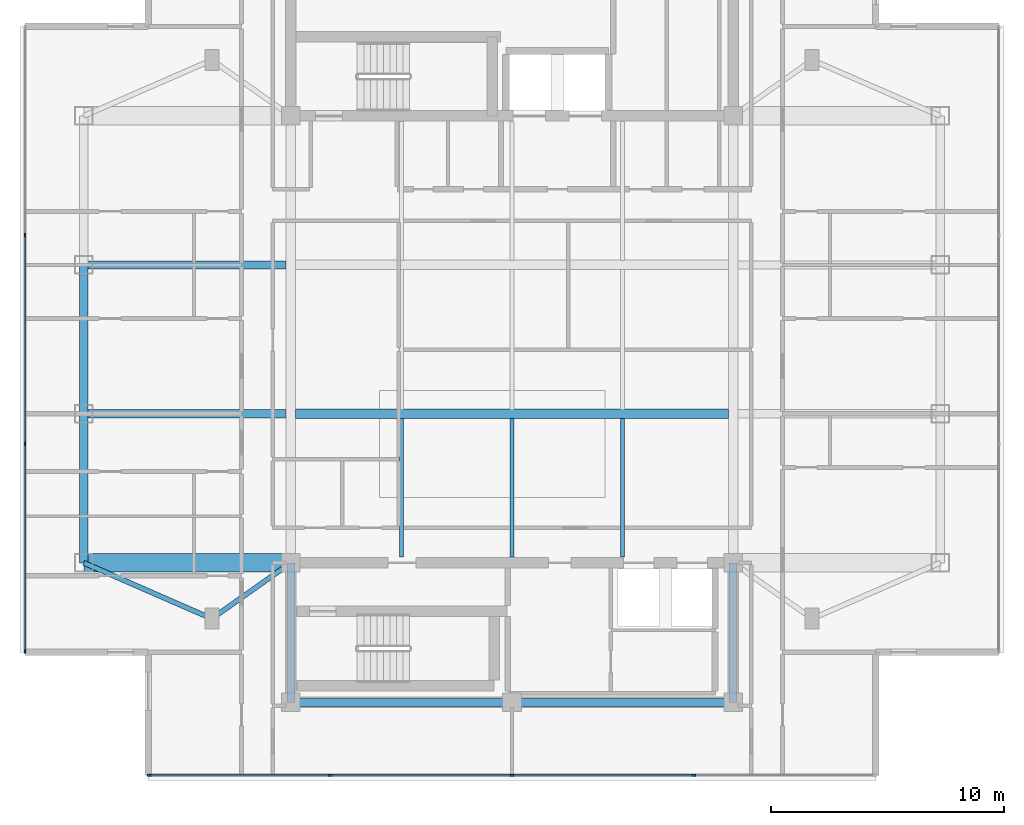
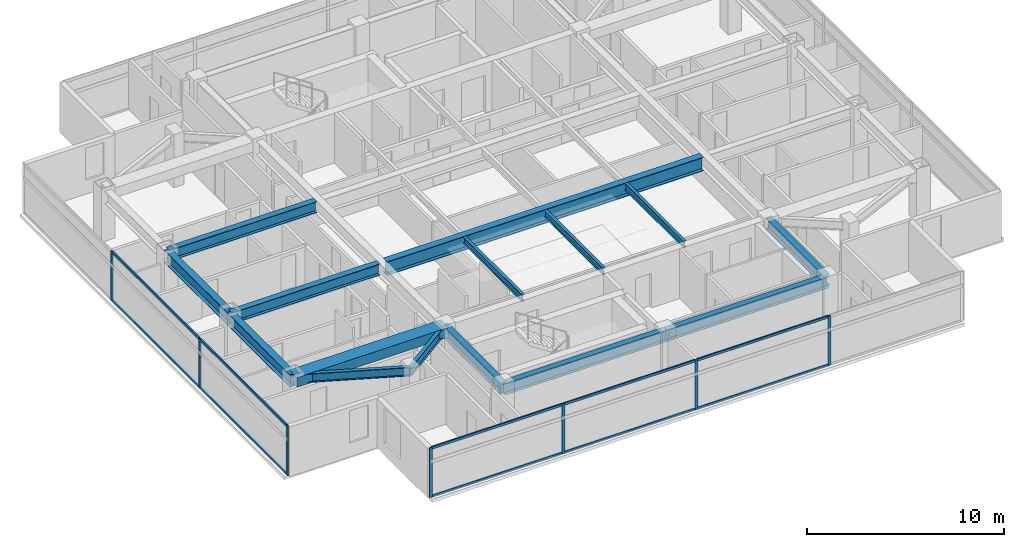
# One storey, part 2 of 15: 17 members, 15 beams, 2 elements without a shape of their own.
"""IFC4 building model written with IfcOpenShell, lengths in metres."""

from ifc_helpers import new_model, si_unit, direction, frame, origin, origin_2d, place, context, subcontext, project, spatial, rectangle, i_section, extrude, material, material_profile, profile_set, type_object, element, aggregate, save


model = new_model("IFC4")

# Units and contexts
model_context = context("Model", 3, precision=1e-05, world=origin(), true_north=direction((0.0, 1.0)))
body_context = subcontext(model_context, "Body", "Model", "MODEL_VIEW")
ifc_project = project(units=[si_unit("LENGTHUNIT", "METRE"), si_unit("AREAUNIT", "SQUARE_METRE"), si_unit("VOLUMEUNIT", "CUBIC_METRE"), si_unit("PLANEANGLEUNIT", "RADIAN"), si_unit("MASSUNIT", "GRAM", prefix="KILO")], contexts=[model_context])

# Site, building, storey
site_placement = place(None, origin())
site = spatial("IfcSite", under=ifc_project, at=site_placement, CompositionType="ELEMENT")
building_placement = place(site_placement, origin())
building = spatial("IfcBuilding", under=site, at=building_placement, Name="Mirazonda Arch Towers", CompositionType="ELEMENT")
storey_placement = place(building_placement, frame((0.0, 0.0, 229.300048828125)))
storey = spatial("IfcBuildingStorey", under=building, at=storey_placement, Name="L65", CompositionType="ELEMENT", Elevation=229.300048828125)

# Beams
ifc_material_1 = material(Name="Steel ASTM A992 Grade 50", Category="steel")
ifc_material_profile_1 = material_profile(ifc_material_1, i_section(OverallWidth=0.381103515625, OverallDepth=0.77294921875, WebThickness=0.0166015625, FlangeThickness=0.027099609375, at=origin_2d()), Name="W30X173")
ifc_profile_set_1 = profile_set([ifc_material_profile_1], Name="Steel ASTM A992 Grade 50")
beam_type_1 = type_object("IfcBeamType", Name="BM-EXT-W30X173", PredefinedType="USERDEFINED", material=ifc_profile_set_1)
beam_1_placement = place(storey_placement, frame((2.10009765625, 18.39990234375, 2.71337890625), z_axis=(0.0, 1.0, 0.0), x_axis=(-1.0, 0.0, 0.0)))
element("IfcBeam", 1, at=beam_1_placement, inside=storey, type_object=beam_type_1, Name="L65 Floor Beam BM-T1-L65-NS-W-18", ObjectType="GIRDER", PredefinedType="USERDEFINED", context=body_context, shape_type="SweptSolid", body=[
    extrude(i_section(OverallWidth=0.381103515625, OverallDepth=0.77294921875, WebThickness=0.0166015625, FlangeThickness=0.027099609375, at=origin_2d()), origin(), (0.0, 0.0, 1.0), 6.400146484375),
])
beam_2_placement = place(storey_placement, frame((2.10009765625, 24.800048828125, 2.71337890625), z_axis=(0.0, 1.0, 0.0), x_axis=(-1.0, 0.0, 0.0)))
element("IfcBeam", 2, at=beam_2_placement, inside=storey, type_object=beam_type_1, Name="L65 Floor Beam BM-T1-L65-NS-W-24", ObjectType="GIRDER", PredefinedType="USERDEFINED", context=body_context, shape_type="SweptSolid", body=[
    extrude(i_section(OverallWidth=0.381103515625, OverallDepth=0.77294921875, WebThickness=0.0166015625, FlangeThickness=0.027099609375, at=origin_2d()), origin(), (0.0, 0.0, 1.0), 6.39990234375),
])
ifc_material_profile_2 = material_profile(ifc_material_1, i_section(OverallWidth=0.180908203125, OverallDepth=0.4169921875, WebThickness=0.010986328125, FlangeThickness=0.018310546875, at=origin_2d()), Name="W16X57")
ifc_profile_set_2 = profile_set([ifc_material_profile_2], Name="Steel ASTM A992 Grade 50")
beam_type_2 = type_object("IfcBeamType", Name="BM-INT-W16X57", PredefinedType="JOIST", material=ifc_profile_set_2)
for number, where, z_axis, x_axis, name in (
    (3, (15.75, 18.639892578125, 2.891357421875), (0.0, 1.0, 0.0), (-1.0, 0.0, 0.0), "L65 Floor Beam BM-T1-L65-J-157-18"),
    (4, (20.5, 18.639892578125, 2.891357421875), (0.0, 1.0, 0.0), (-1.0, 0.0, 0.0), "L65 Floor Beam BM-T1-L65-J-205-18"),
    (5, (25.25, 18.639892578125, 2.891357421875), (0.0, 1.0, 0.0), (-1.0, 0.0, 0.0), "L65 Floor Beam BM-T1-L65-J-252-18"),
):
    element("IfcBeam", number, at=place(storey_placement, frame(where, z_axis=z_axis, x_axis=x_axis)), inside=storey, type_object=beam_type_2, Name=name, PredefinedType="JOIST", context=body_context, shape_type="SweptSolid", body=[
        extrude(i_section(OverallWidth=0.180908203125, OverallDepth=0.4169921875, WebThickness=0.010986328125, FlangeThickness=0.018310546875, at=origin_2d()), origin(), (0.0, 0.0, 1.0), 5.964111328125),
    ])
ifc_material_profile_3 = material_profile(ifc_material_1, i_section(OverallWidth=0.214111328125, OverallDepth=0.549072265625, WebThickness=0.0146484375, FlangeThickness=0.023681640625, at=origin_2d()), Name="W21X93")
ifc_profile_set_3 = profile_set([ifc_material_profile_3], Name="Steel ASTM A992 Grade 50")
beam_type_3 = type_object("IfcBeamType", Name="BM-INT-W21X93", PredefinedType="BEAM", material=ifc_profile_set_3)
beam_3_placement = place(storey_placement, frame((7.60009765625, 16.0, 2.825439453125), z_axis=(0.816971114901, 0.576678591087, 0.0), x_axis=(-0.576678591087, 0.816971114901, 0.0)))
element("IfcBeam", 6, at=beam_3_placement, inside=storey, type_object=beam_type_3, Name="L65 Floor Beam BM-T1-L65-PL-SW1", PredefinedType="BEAM", context=body_context, shape_type="SweptSolid", body=[
    extrude(i_section(OverallWidth=0.214111328125, OverallDepth=0.549072265625, WebThickness=0.0146484375, FlangeThickness=0.023681640625, at=origin_2d()), origin(), (0.0, 0.0, 1.0), 4.16162109375),
])
beam_4_placement = place(storey_placement, frame((7.60009765625, 16.0, 2.825439453125), z_axis=(-0.916545343703, 0.399930785183, 0.0), x_axis=(-0.399930785183, -0.916545343703, 0.0)))
element("IfcBeam", 7, at=beam_4_placement, inside=storey, type_object=beam_type_3, Name="L65 Floor Beam BM-T1-L65-PL-SW2", PredefinedType="BEAM", context=body_context, shape_type="SweptSolid", body=[
    extrude(i_section(OverallWidth=0.214111328125, OverallDepth=0.549072265625, WebThickness=0.0146484375, FlangeThickness=0.023681640625, at=origin_2d()), origin(), (0.0, 0.0, 1.0), 6.000732421875),
])
ifc_material_profile_4 = material_profile(ifc_material_1, i_section(OverallWidth=0.35498046875, OverallDepth=0.696044921875, WebThickness=0.015380859375, FlangeThickness=0.02490234375, at=origin_2d()), Name="W27X146")
ifc_profile_set_4 = profile_set([ifc_material_profile_4], Name="Steel ASTM A992 Grade 50")
beam_type_4 = type_object("IfcBeamType", Name="BM-INT-W27X146", PredefinedType="BEAM", material=ifc_profile_set_4)
for number, where, z_axis, x_axis, name in (
    (8, (2.10009765625, 24.800048828125, 2.751953125), (1.0, 0.0, 0.0), (0.0, 1.0, 0.0), "L65 Floor Beam BM-T1-L65-GW2"),
    (9, (2.10009765625, 31.199951171875, 2.751953125), (1.0, 0.0, 0.0), (0.0, 1.0, 0.0), "L65 Floor Beam BM-T1-L65-GW3"),
):
    element("IfcBeam", number, at=place(storey_placement, frame(where, z_axis=z_axis, x_axis=x_axis)), inside=storey, type_object=beam_type_4, Name=name, PredefinedType="BEAM", context=body_context, shape_type="SweptSolid", body=[
        extrude(i_section(OverallWidth=0.35498046875, OverallDepth=0.696044921875, WebThickness=0.015380859375, FlangeThickness=0.02490234375, at=origin_2d()), origin(), (0.0, 0.0, 1.0), 8.699951171875),
    ])
for number, where, z_axis, x_axis, name in (
    (10, (11.0, 12.39990234375, 2.751953125), (1.0, 0.0, 0.0), (0.0, 1.0, 0.0), "L65 Floor Beam BM-T1-L65-CS1"),
    (11, (20.5, 12.39990234375, 2.751953125), (1.0, 0.0, 0.0), (0.0, 1.0, 0.0), "L65 Floor Beam BM-T1-L65-CS2"),
):
    element("IfcBeam", number, at=place(storey_placement, frame(where, z_axis=z_axis, x_axis=x_axis)), inside=storey, type_object=beam_type_4, Name=name, PredefinedType="BEAM", context=body_context, shape_type="SweptSolid", body=[
        extrude(i_section(OverallWidth=0.35498046875, OverallDepth=0.696044921875, WebThickness=0.015380859375, FlangeThickness=0.02490234375, at=origin_2d()), origin(), (0.0, 0.0, 1.0), 9.5),
    ])
for number, where, z_axis, x_axis, name in (
    (12, (11.0, 12.39990234375, 2.751953125), (0.0, 1.0, 0.0), (-1.0, 0.0, 0.0), "L65 Floor Beam BM-T1-L65-CSW"),
    (13, (30.0, 12.39990234375, 2.751953125), (0.0, 1.0, 0.0), (-1.0, 0.0, 0.0), "L65 Floor Beam BM-T1-L65-CSE"),
):
    element("IfcBeam", number, at=place(storey_placement, frame(where, z_axis=z_axis, x_axis=x_axis)), inside=storey, type_object=beam_type_4, Name=name, PredefinedType="BEAM", context=body_context, shape_type="SweptSolid", body=[
        extrude(i_section(OverallWidth=0.35498046875, OverallDepth=0.696044921875, WebThickness=0.015380859375, FlangeThickness=0.02490234375, at=origin_2d()), origin(), (0.0, 0.0, 1.0), 6.0),
    ])
ifc_material_profile_5 = material_profile(ifc_material_1, i_section(OverallWidth=0.39990234375, OverallDepth=0.85595703125, WebThickness=0.018310546875, FlangeThickness=0.029296875, at=origin_2d()), Name="W33X201")
ifc_profile_set_5 = profile_set([ifc_material_profile_5], Name="Steel ASTM A992 Grade 50")
beam_type_5 = type_object("IfcBeamType", Name="BM-INT-W33X201", PredefinedType="USERDEFINED", material=ifc_profile_set_5)
beam_5_placement = place(storey_placement, frame((11.199951171875, 24.800048828125, 2.671875), z_axis=(1.0, 0.0, 0.0), x_axis=(0.0, 1.0, 0.0)))
element("IfcBeam", 14, at=beam_5_placement, inside=storey, type_object=beam_type_5, Name="L65 Floor Beam BM-T1-L65-GC2", ObjectType="GIRDER", PredefinedType="USERDEFINED", context=body_context, shape_type="SweptSolid", body=[
    extrude(i_section(OverallWidth=0.39990234375, OverallDepth=0.85595703125, WebThickness=0.018310546875, FlangeThickness=0.029296875, at=origin_2d()), origin(), (0.0, 0.0, 1.0), 18.60009765625),
])
ifc_material_2 = material(Name="Concrete C60/75", Category="concrete")
ifc_material_profile_6 = material_profile(ifc_material_2, rectangle(XDim=0.800048828125, YDim=0.60009765625, at=origin_2d()), Name="RCCB800x600")
ifc_profile_set_6 = profile_set([ifc_material_profile_6], Name="Concrete C60/75")
beam_type_6 = type_object("IfcBeamType", Name="CB-INT-RCCB800x600", PredefinedType="SPANDREL", material=ifc_profile_set_6)
beam_6_placement = place(storey_placement, frame((2.10009765625, 18.39990234375, 2.800048828125), z_axis=(1.0, 0.0, 0.0), x_axis=(0.0, 1.0, 0.0)))
element("IfcBeam", 15, at=beam_6_placement, inside=storey, type_object=beam_type_6, Name="L65 Floor Beam CBC-T1-L65-SW", PredefinedType="SPANDREL", context=body_context, shape_type="SweptSolid", body=[
    extrude(rectangle(XDim=0.800048828125, YDim=0.60009765625, at=origin_2d()), origin(), (0.0, 0.0, 1.0), 8.89990234375),
])

# Curtain wall, members
ifc_material_3 = material(Name="Anodised Aluminium and Low-E Glass", Category="aluminium")
curtain_wall_type = type_object("IfcCurtainWallType", Name="CW-RES-UNIT", PredefinedType="NOTDEFINED", material=ifc_material_3)
curtain_wall_1_placement = place(storey_placement, origin())
curtain_wall_1 = element("IfcCurtainWall", 16, at=curtain_wall_1_placement, inside=storey, type_object=curtain_wall_type, Name="L65 T1 S Facade CW-L65-T1-S", PredefinedType="NOTDEFINED")
ifc_material_4 = material(Name="Anodised Aluminium Alloy", Category="aluminium")
ifc_material_profile_7 = material_profile(ifc_material_4, rectangle(XDim=0.074951171875, YDim=0.175048828125, at=origin_2d()), Name="ALU-MULL-75x175")
ifc_profile_set_7 = profile_set([ifc_material_profile_7], Name="Anodised Aluminium Alloy")
member_type_1 = type_object("IfcMemberType", Name="MULL-CW-RES-UNIT", PredefinedType="MULLION", material=ifc_profile_set_7)
member_1_placement = place(storey_placement, frame((28.31494140625, 9.26611328125, 0.0), z_axis=(0.0, 0.0, 1.0), x_axis=(0.0, -1.0, 0.0)))
member_1 = element("IfcMember", 17, at=member_1_placement, type_object=member_type_1, Name="CW-104 mullion 2", PredefinedType="MULLION", context=body_context, shape_type="SweptSolid", body=[
    extrude(rectangle(XDim=0.074951171875, YDim=0.175048828125, at=origin_2d()), origin(), (0.0, 0.0, 1.0), 3.079833984375),
])
member_2_placement = place(storey_placement, frame((20.5, 9.26611328125, 0.0), z_axis=(0.0, 0.0, 1.0), x_axis=(0.0, -1.0, 0.0)))
member_2 = element("IfcMember", 18, at=member_2_placement, type_object=member_type_1, Name="CW-104 mullion 3", PredefinedType="MULLION", context=body_context, shape_type="SweptSolid", body=[
    extrude(rectangle(XDim=0.074951171875, YDim=0.175048828125, at=origin_2d()), origin(), (0.0, 0.0, 1.0), 3.079833984375),
])
member_3_placement = place(storey_placement, frame((12.68505859375, 9.26611328125, 0.0), z_axis=(0.0, 0.0, 1.0), x_axis=(0.0, -1.0, 0.0)))
member_3 = element("IfcMember", 19, at=member_3_placement, type_object=member_type_1, Name="CW-104 mullion 4", PredefinedType="MULLION", context=body_context, shape_type="SweptSolid", body=[
    extrude(rectangle(XDim=0.074951171875, YDim=0.175048828125, at=origin_2d()), origin(), (0.0, 0.0, 1.0), 3.079833984375),
])
member_4_placement = place(storey_placement, frame((4.907470703125, 9.26611328125, 0.0), z_axis=(0.0, 0.0, 1.0), x_axis=(0.0, -1.0, 0.0)))
member_4 = element("IfcMember", 20, at=member_4_placement, type_object=member_type_1, Name="CW-104 mullion 5", PredefinedType="MULLION", context=body_context, shape_type="SweptSolid", body=[
    extrude(rectangle(XDim=0.074951171875, YDim=0.175048828125, at=origin_2d()), origin(), (0.0, 0.0, 1.0), 3.079833984375),
])

curtain_wall_2_placement = place(storey_placement, origin())
curtain_wall_2 = element("IfcCurtainWall", 21, at=curtain_wall_2_placement, inside=storey, type_object=curtain_wall_type, Name="L65 T1 W Facade CW-L65-T1-W", PredefinedType="NOTDEFINED")
member_5_placement = place(storey_placement, frame((-0.419921875, 32.4814453125, 0.0), z_axis=(0.0, 0.0, 1.0), x_axis=(1.0, 0.0, 0.0)))
member_5 = element("IfcMember", 22, at=member_5_placement, type_object=member_type_1, Name="CW-104 mullion 2", PredefinedType="MULLION", context=body_context, shape_type="SweptSolid", body=[
    extrude(rectangle(XDim=0.074951171875, YDim=0.175048828125, at=origin_2d()), origin(), (0.0, 0.0, 1.0), 3.079833984375),
])
member_6_placement = place(storey_placement, frame((-0.419921875, 23.5185546875, 0.0), z_axis=(0.0, 0.0, 1.0), x_axis=(1.0, 0.0, 0.0)))
member_6 = element("IfcMember", 23, at=member_6_placement, type_object=member_type_1, Name="CW-104 mullion 3", PredefinedType="MULLION", context=body_context, shape_type="SweptSolid", body=[
    extrude(rectangle(XDim=0.074951171875, YDim=0.175048828125, at=origin_2d()), origin(), (0.0, 0.0, 1.0), 3.079833984375),
])
member_7_placement = place(storey_placement, frame((-0.419921875, 14.593505859375, 0.0), z_axis=(0.0, 0.0, 1.0), x_axis=(1.0, 0.0, 0.0)))
member_7 = element("IfcMember", 24, at=member_7_placement, type_object=member_type_1, Name="CW-104 mullion 4", PredefinedType="MULLION", context=body_context, shape_type="SweptSolid", body=[
    extrude(rectangle(XDim=0.074951171875, YDim=0.175048828125, at=origin_2d()), origin(), (0.0, 0.0, 1.0), 3.079833984375),
])

# Member
ifc_material_profile_8 = material_profile(ifc_material_4, rectangle(XDim=0.074951171875, YDim=0.155029296875, at=origin_2d()), Name="ALU-TRAN-75x155")
ifc_profile_set_8 = profile_set([ifc_material_profile_8], Name="Anodised Aluminium Alloy")
member_type_2 = type_object("IfcMemberType", Name="TRAN-CW-RES-UNIT", PredefinedType="USERDEFINED", material=ifc_profile_set_8)
member_8_placement = place(storey_placement, frame((28.277587890625, 9.26611328125, 0.037353515625), z_axis=(-1.0, 0.0, 0.0), x_axis=(0.0, -1.0, 0.0)))
member_8 = element("IfcMember", 25, at=member_8_placement, type_object=member_type_2, Name="CW-104 transom 2.1", ObjectType="TRANSOM", PredefinedType="USERDEFINED", context=body_context, shape_type="SweptSolid", body=[
    extrude(rectangle(XDim=0.074951171875, YDim=0.155029296875, at=origin_2d()), origin(), (0.0, 0.0, 1.0), 7.739990234375),
])

member_9_placement = place(storey_placement, frame((28.277587890625, 9.26611328125, 3.04248046875), z_axis=(-1.0, 0.0, 0.0), x_axis=(0.0, -1.0, 0.0)))
member_9 = element("IfcMember", 26, at=member_9_placement, type_object=member_type_2, Name="CW-104 transom 2.2", ObjectType="TRANSOM", PredefinedType="USERDEFINED", context=body_context, shape_type="SweptSolid", body=[
    extrude(rectangle(XDim=0.074951171875, YDim=0.155029296875, at=origin_2d()), origin(), (0.0, 0.0, 1.0), 7.739990234375),
])

member_10_placement = place(storey_placement, frame((20.46240234375, 9.26611328125, 0.037353515625), z_axis=(-1.0, 0.0, 0.0), x_axis=(0.0, -1.0, 0.0)))
member_10 = element("IfcMember", 27, at=member_10_placement, type_object=member_type_2, Name="CW-104 transom 3.1", ObjectType="TRANSOM", PredefinedType="USERDEFINED", context=body_context, shape_type="SweptSolid", body=[
    extrude(rectangle(XDim=0.074951171875, YDim=0.155029296875, at=origin_2d()), origin(), (0.0, 0.0, 1.0), 7.739990234375),
])

member_11_placement = place(storey_placement, frame((20.46240234375, 9.26611328125, 3.04248046875), z_axis=(-1.0, 0.0, 0.0), x_axis=(0.0, -1.0, 0.0)))
member_11 = element("IfcMember", 28, at=member_11_placement, type_object=member_type_2, Name="CW-104 transom 3.2", ObjectType="TRANSOM", PredefinedType="USERDEFINED", context=body_context, shape_type="SweptSolid", body=[
    extrude(rectangle(XDim=0.074951171875, YDim=0.155029296875, at=origin_2d()), origin(), (0.0, 0.0, 1.0), 7.739990234375),
])

member_12_placement = place(storey_placement, frame((12.6474609375, 9.26611328125, 0.037353515625), z_axis=(-1.0, 0.0, 0.0), x_axis=(0.0, -1.0, 0.0)))
member_12 = element("IfcMember", 29, at=member_12_placement, type_object=member_type_2, Name="CW-104 transom 4.1", ObjectType="TRANSOM", PredefinedType="USERDEFINED", context=body_context, shape_type="SweptSolid", body=[
    extrude(rectangle(XDim=0.074951171875, YDim=0.155029296875, at=origin_2d()), origin(), (0.0, 0.0, 1.0), 7.702392578125),
])

member_13_placement = place(storey_placement, frame((12.6474609375, 9.26611328125, 3.04248046875), z_axis=(-1.0, 0.0, 0.0), x_axis=(0.0, -1.0, 0.0)))
member_13 = element("IfcMember", 30, at=member_13_placement, type_object=member_type_2, Name="CW-104 transom 4.2", ObjectType="TRANSOM", PredefinedType="USERDEFINED", context=body_context, shape_type="SweptSolid", body=[
    extrude(rectangle(XDim=0.074951171875, YDim=0.155029296875, at=origin_2d()), origin(), (0.0, 0.0, 1.0), 7.702392578125),
])

aggregate(curtain_wall_1, [member_1, member_2, member_3, member_4, member_8, member_9, member_10, member_11, member_12, member_13])

member_14_placement = place(storey_placement, frame((-0.419921875, 32.44384765625, 0.037353515625), z_axis=(0.0, -1.0, 0.0), x_axis=(1.0, 0.0, 0.0)))
member_14 = element("IfcMember", 31, at=member_14_placement, type_object=member_type_2, Name="CW-104 transom 2.1", ObjectType="TRANSOM", PredefinedType="USERDEFINED", context=body_context, shape_type="SweptSolid", body=[
    extrude(rectangle(XDim=0.074951171875, YDim=0.155029296875, at=origin_2d()), origin(), (0.0, 0.0, 1.0), 8.8876953125),
])

member_15_placement = place(storey_placement, frame((-0.419921875, 32.44384765625, 3.04248046875), z_axis=(0.0, -1.0, 0.0), x_axis=(1.0, 0.0, 0.0)))
member_15 = element("IfcMember", 32, at=member_15_placement, type_object=member_type_2, Name="CW-104 transom 2.2", ObjectType="TRANSOM", PredefinedType="USERDEFINED", context=body_context, shape_type="SweptSolid", body=[
    extrude(rectangle(XDim=0.074951171875, YDim=0.155029296875, at=origin_2d()), origin(), (0.0, 0.0, 1.0), 8.8876953125),
])

member_16_placement = place(storey_placement, frame((-0.419921875, 23.481201171875, 0.037353515625), z_axis=(0.0, -1.0, 0.0), x_axis=(1.0, 0.0, 0.0)))
member_16 = element("IfcMember", 33, at=member_16_placement, type_object=member_type_2, Name="CW-104 transom 3.1", ObjectType="TRANSOM", PredefinedType="USERDEFINED", context=body_context, shape_type="SweptSolid", body=[
    extrude(rectangle(XDim=0.074951171875, YDim=0.155029296875, at=origin_2d()), origin(), (0.0, 0.0, 1.0), 8.85009765625),
])

member_17_placement = place(storey_placement, frame((-0.419921875, 23.481201171875, 3.04248046875), z_axis=(0.0, -1.0, 0.0), x_axis=(1.0, 0.0, 0.0)))
member_17 = element("IfcMember", 34, at=member_17_placement, type_object=member_type_2, Name="CW-104 transom 3.2", ObjectType="TRANSOM", PredefinedType="USERDEFINED", context=body_context, shape_type="SweptSolid", body=[
    extrude(rectangle(XDim=0.074951171875, YDim=0.155029296875, at=origin_2d()), origin(), (0.0, 0.0, 1.0), 8.85009765625),
])

aggregate(curtain_wall_2, [member_5, member_6, member_7, member_14, member_15, member_16, member_17])

save(model, "model.ifc")
